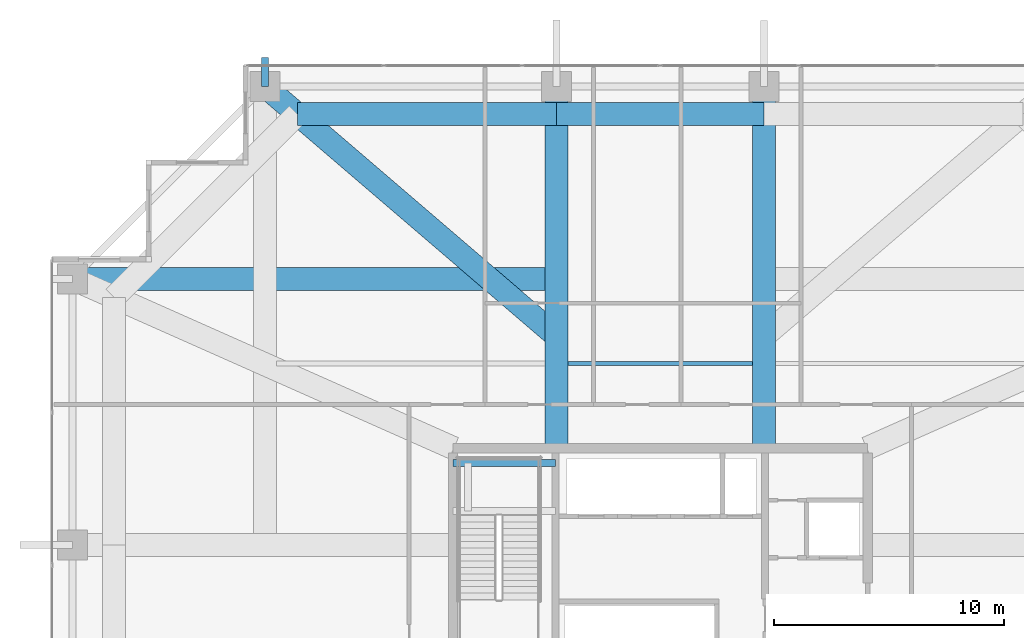
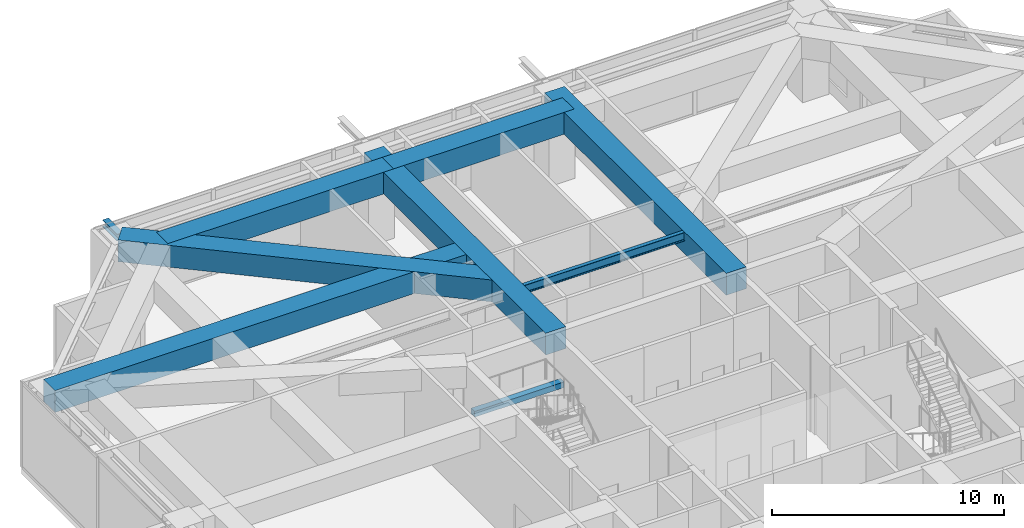
# One storey, part 21 of 35: 9 beams.
"""IFC4 building model written with IfcOpenShell, lengths in metres."""

from ifc_helpers import new_model, si_unit, direction, frame, origin, origin_2d, place, context, subcontext, project, spatial, rectangle, i_section, extrude, source, transform, mapped, material, material_profile, profile_set, type_object, element, save


model = new_model("IFC4")

# Units and contexts
model_context = context("Model", 3, precision=1e-05, world=origin(), true_north=direction((0.0, 1.0)))
body_context = subcontext(model_context, "Body", "Model", "MODEL_VIEW")
ifc_project = project(units=[si_unit("LENGTHUNIT", "METRE"), si_unit("AREAUNIT", "SQUARE_METRE"), si_unit("VOLUMEUNIT", "CUBIC_METRE"), si_unit("PLANEANGLEUNIT", "RADIAN"), si_unit("MASSUNIT", "GRAM", prefix="KILO")], contexts=[model_context])

# Site, building, storey
site_placement = place(None, origin())
site = spatial("IfcSite", under=ifc_project, at=site_placement, CompositionType="ELEMENT")
building_placement = place(site_placement, origin())
building = spatial("IfcBuilding", under=site, at=building_placement, Name="Serunith Strait Residences", CompositionType="ELEMENT")
storey_placement = place(building_placement, frame((0.0, 0.0, 115.199951171875)))
storey = spatial("IfcBuildingStorey", under=building, at=storey_placement, Name="L28", CompositionType="ELEMENT", Elevation=115.199951171875)

# Beams
ifc_material_1 = material(Name="Concrete C80/95", Category="concrete")
ifc_material_profile_1 = material_profile(ifc_material_1, rectangle(XDim=1.0, YDim=1.14990234375, at=origin_2d()), Name="RC 1000x1150")
ifc_profile_set_1 = profile_set([ifc_material_profile_1], Name="Concrete C80/95")
beam_type_1 = type_object("IfcBeamType", Name="BM-XFER-1000x1150", PredefinedType="BEAM", material=ifc_profile_set_1)
shared_shape_1 = source(origin(), body_context, "Body", "SweptSolid", [
    extrude(rectangle(XDim=1.0, YDim=1.14990234375, at=origin_2d()), origin(), (0.0, 0.0, 1.0), 15.699951171875),
])
for number, where, z_axis, x_axis, name in (
    (1, (27.89990234375, 33.60009765625, 3.93505859375), (0.0, 1.0, 0.0), (-1.0, 0.0, 0.0), "L28 Primary Floor Girder TC-N2"),
    (2, (36.89990234375, 33.60009765625, 3.93505859375), (0.0, 1.0, 0.0), (-1.0, 0.0, 0.0), "L28 Primary Floor Girder TC-N3"),
):
    element("IfcBeam", number, at=place(storey_placement, frame(where, z_axis=z_axis, x_axis=x_axis)), inside=storey, type_object=beam_type_1, Name=name, PredefinedType="BEAM", context=body_context, shape_type="MappedRepresentation", body=[
        mapped(shared_shape_1, transform((0.0, 0.0, 0.0), scale=1.0)),
    ])
shared_shape_2 = source(origin(), body_context, "Body", "SweptSolid", [
    extrude(rectangle(XDim=1.0, YDim=1.14990234375, at=origin_2d()), origin(), (0.0, 0.0, 1.0), 21.0),
])
beam_1_placement = place(storey_placement, frame((27.89990234375, 40.949951171875, 3.93505859375), z_axis=(-1.0, 0.0, 0.0), x_axis=(0.0, -1.0, 0.0)))
element("IfcBeam", 3, at=beam_1_placement, inside=storey, type_object=beam_type_1, Name="L28 Orthogonal Corner Girder TC-W4", PredefinedType="BEAM", context=body_context, shape_type="MappedRepresentation", body=[
    mapped(shared_shape_2, transform((0.0, 0.0, 0.0), scale=1.0)),
])
shared_shape_3 = source(origin(), body_context, "Body", "SweptSolid", [
    extrude(rectangle(XDim=1.0, YDim=1.14990234375, at=origin_2d()), origin(), (0.0, 0.0, 1.0), 16.6611328125),
])
beam_2_placement = place(storey_placement, frame((15.25, 49.300048828125, 3.93505859375), z_axis=(0.759249361833, -0.650799820649, 0.0), x_axis=(0.650799820649, 0.759249361833, 0.0)))
element("IfcBeam", 4, at=beam_2_placement, inside=storey, type_object=beam_type_1, Name="L28 Diagonal Corner Transfer Girder TC-N1", PredefinedType="BEAM", context=body_context, shape_type="MappedRepresentation", body=[
    mapped(shared_shape_3, transform((0.0, 0.0, 0.0), scale=1.0)),
])
shared_shape_4 = source(origin(), body_context, "Body", "SweptSolid", [
    extrude(rectangle(XDim=1.0, YDim=1.14990234375, at=origin_2d()), origin(), (0.0, 0.0, 1.0), 11.25),
])
beam_3_placement = place(storey_placement, frame((27.89990234375, 48.10009765625, 3.93505859375), z_axis=(-1.0, 0.0, 0.0), x_axis=(0.0, -1.0, 0.0)))
element("IfcBeam", 5, at=beam_3_placement, inside=storey, type_object=beam_type_1, Name="L28 Flare Upper Ring Transfer Girder 11", PredefinedType="BEAM", context=body_context, shape_type="MappedRepresentation", body=[
    mapped(shared_shape_4, transform((0.0, 0.0, 0.0), scale=1.0)),
])
shared_shape_5 = source(origin(), body_context, "Body", "SweptSolid", [
    extrude(rectangle(XDim=1.0, YDim=1.14990234375, at=origin_2d()), origin(), (0.0, 0.0, 1.0), 9.0),
])
beam_4_placement = place(storey_placement, frame((36.89990234375, 48.10009765625, 3.93505859375), z_axis=(-1.0, 0.0, 0.0), x_axis=(0.0, -1.0, 0.0)))
element("IfcBeam", 6, at=beam_4_placement, inside=storey, type_object=beam_type_1, Name="L28 Flare Upper Ring Transfer Girder 10", PredefinedType="BEAM", context=body_context, shape_type="MappedRepresentation", body=[
    mapped(shared_shape_5, transform((0.0, 0.0, 0.0), scale=1.0)),
])
ifc_material_2 = material(Name="Steel S355J2", Category="steel")
ifc_material_profile_2 = material_profile(ifc_material_2, i_section(OverallWidth=0.18994140625, OverallDepth=0.449951171875, WebThickness=0.009521484375, FlangeThickness=0.0146484375, FilletRadius=0.02099609375, at=origin_2d()), Name="IPE 450")
ifc_profile_set_2 = profile_set([ifc_material_profile_2], Name="Steel S355J2")
beam_type_2 = type_object("IfcBeamType", Name="BM-IPE450", PredefinedType="JOIST", material=ifc_profile_set_2)
shared_shape_6 = source(origin(), body_context, "Body", "SweptSolid", [
    extrude(i_section(OverallWidth=0.18994140625, OverallDepth=0.449951171875, WebThickness=0.009521484375, FlangeThickness=0.0146484375, FilletRadius=0.02099609375, at=origin_2d()), origin(), (0.0, 0.0, 1.0), 8.0),
])
beam_5_placement = place(storey_placement, frame((28.39990234375, 37.27490234375, 4.281982421875), z_axis=(1.0, 0.0, 0.0), x_axis=(0.0, 1.0, 0.0)))
element("IfcBeam", 7, at=beam_5_placement, inside=storey, type_object=beam_type_2, Name="L28 Composite Floor Joist 05", PredefinedType="JOIST", context=body_context, shape_type="MappedRepresentation", body=[
    mapped(shared_shape_6, transform((0.0, 0.0, 0.0), scale=1.0)),
])
ifc_material_profile_3 = material_profile(ifc_material_2, i_section(OverallWidth=0.300048828125, OverallDepth=0.360107421875, WebThickness=0.012451171875, FlangeThickness=0.0224609375, FilletRadius=0.027099609375, at=origin_2d()), Name="HEB 360")
ifc_profile_set_3 = profile_set([ifc_material_profile_3], Name="Steel S355J2")
beam_type_3 = type_object("IfcBeamType", Name="BM-HEB360", PredefinedType="BEAM", material=ifc_profile_set_3)
shared_shape_7 = source(origin(), body_context, "Body", "SweptSolid", [
    extrude(i_section(OverallWidth=0.300048828125, OverallDepth=0.360107421875, WebThickness=0.012451171875, FlangeThickness=0.0224609375, FilletRadius=0.027099609375, at=origin_2d()), origin(), (0.0, 0.0, 1.0), 1.264404296875),
])
beam_6_placement = place(storey_placement, frame((15.25, 49.300048828125, 4.3271484375), z_axis=(0.0, 1.0, 0.0), x_axis=(-1.0, 0.0, 0.0)))
element("IfcBeam", 8, at=beam_6_placement, inside=storey, type_object=beam_type_3, Name="L29 Cantilevered Balcony Rib TC-N1", PredefinedType="BEAM", context=body_context, shape_type="MappedRepresentation", body=[
    mapped(shared_shape_7, transform((0.0, 0.0, 0.0), scale=1.0)),
])
ifc_material_3 = material(Name="Concrete C60/75", Category="concrete")
ifc_material_profile_4 = material_profile(ifc_material_3, rectangle(XDim=0.300048828125, YDim=0.300048828125, at=origin_2d()), Name="RC 300x300")
ifc_profile_set_4 = profile_set([ifc_material_profile_4], Name="Concrete C60/75")
beam_type_4 = type_object("IfcBeamType", Name="BM-LAND-300x300", PredefinedType="BEAM", material=ifc_profile_set_4)
shared_shape_8 = source(origin(), body_context, "Body", "SweptSolid", [
    extrude(rectangle(XDim=0.300048828125, YDim=0.300048828125, at=origin_2d()), origin(), (0.0, 0.0, 1.0), 4.4501953125),
])
beam_7_placement = place(storey_placement, frame((23.39990234375, 32.949951171875, 2.125), z_axis=(1.0, 0.0, 0.0), x_axis=(0.0, 1.0, 0.0)))
element("IfcBeam", 9, at=beam_7_placement, inside=storey, type_object=beam_type_4, Name="L28 ST-1 Landing Support Beam 2", PredefinedType="BEAM", context=body_context, shape_type="MappedRepresentation", body=[
    mapped(shared_shape_8, transform((0.0, 0.0, 0.0), scale=1.0)),
])

save(model, "model.ifc")
